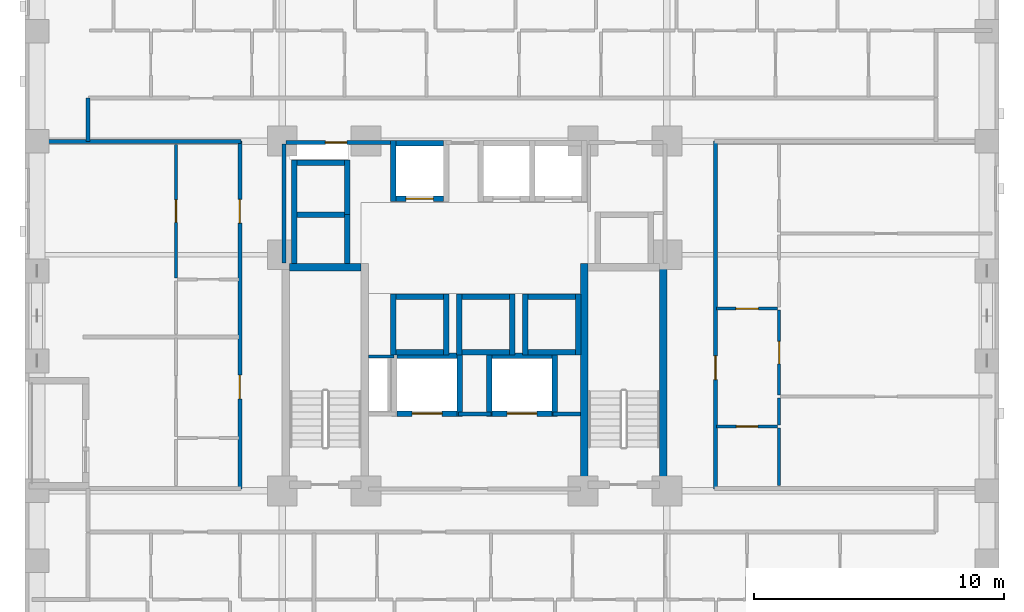
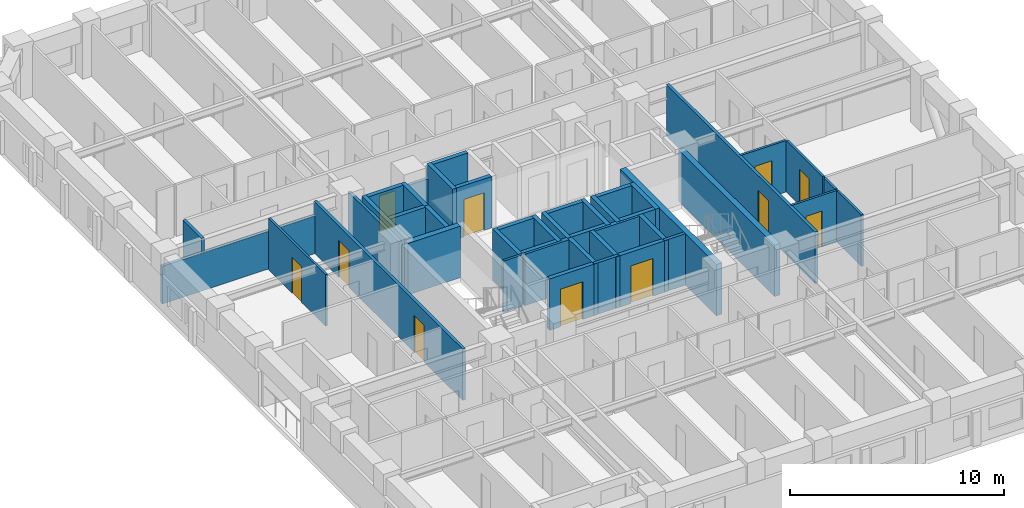
# One storey, part 5 of 14: 45 walls, 11 doors, 11 openings.
"""IFC4 building model written with IfcOpenShell, lengths in metres."""

from ifc_helpers import new_model, si_unit, derived_unit, direction, frame, frame_2d, origin, place, context, subcontext, project, spatial, rectangle, extrude, material, layer, layer_set, type_object, element, fill, save


model = new_model("IFC4")

# Units and contexts
model_context = context("Model", 3, precision=1e-05, world=origin(), true_north=direction((0.0, 1.0)))
body_context = subcontext(model_context, "Body", "Model", "MODEL_VIEW")
ifc_project = project(units=[si_unit("LENGTHUNIT", "METRE"), si_unit("AREAUNIT", "SQUARE_METRE"), si_unit("VOLUMEUNIT", "CUBIC_METRE"), si_unit("PLANEANGLEUNIT", "RADIAN"), si_unit("MASSUNIT", "GRAM", prefix="KILO"), derived_unit("THERMALTRANSMITTANCEUNIT", [(si_unit("MASSUNIT", "GRAM", prefix="KILO"), 1), (si_unit("TIMEUNIT", "SECOND"), -3), (si_unit("THERMODYNAMICTEMPERATUREUNIT", "KELVIN"), -1)])], contexts=[model_context])

# Site, building, storey
site_placement = place(None, origin())
site = spatial("IfcSite", under=ifc_project, at=site_placement, CompositionType="ELEMENT")
building_placement = place(site_placement, origin())
building = spatial("IfcBuilding", under=site, at=building_placement, Name="Korrvale Station Residences", CompositionType="ELEMENT")
storey_placement = place(building_placement, frame((0.0, 0.0, 45.0)))
storey = spatial("IfcBuildingStorey", under=building, at=storey_placement, Name="L11", CompositionType="ELEMENT", Elevation=45.0)

# Walls
ifc_material_1 = material(Name="Concrete C70/85", Category="concrete")
ifc_layer_1 = layer(ifc_material_1, 0.300048828125, Name="Concrete C70/85")
ifc_layer_set_1 = layer_set([ifc_layer_1], Name="Concrete C70/85")
wall_type_1 = type_object("IfcWallType", Name="WAL-CORE-300-C70", PredefinedType="SHEAR", material=ifc_layer_set_1)
wall_1_placement = place(storey_placement, frame((18.10009765625, 23.949951171875, 0.0), z_axis=(0.0, 0.0, 1.0), x_axis=(1.0, 0.0, 0.0)))
element("IfcWall", 1, at=wall_1_placement, inside=storey, type_object=wall_type_1, Name="L11 ST-1 Core Shear Wall North", PredefinedType="SHEAR", context=body_context, shape_type="SweptSolid", body=[
    extrude(rectangle(XDim=2.849853515625, YDim=0.300048828125, at=frame_2d((1.4248046875, 0.0))), origin(), (0.0, 0.0, 1.0), 2.93994140625),
])
for number, where, z_axis, x_axis, name in (
    (2, (29.89990234375, 15.10009765625, 0.0), (0.0, 0.0, 1.0), (0.0, 1.0, 0.0), "L11 ST-2 Core Shear Wall West"),
    (3, (33.050048828125, 15.10009765625, 0.0), (0.0, 0.0, 1.0), (0.0, 1.0, 0.0), "L11 ST-2 Core Shear Wall East"),
):
    element("IfcWall", number, at=place(storey_placement, frame(where, z_axis=z_axis, x_axis=x_axis)), inside=storey, type_object=wall_type_1, Name=name, PredefinedType="SHEAR", context=body_context, shape_type="SweptSolid", body=[
        extrude(rectangle(XDim=9.0, YDim=0.300048828125, at=frame_2d((4.5, 0.0))), origin(), (0.0, 0.0, 1.0), 2.93994140625),
    ])
ifc_material_2 = material(Name="Acoustic steel-stud gypsum board partition", Category="steel")
ifc_layer_2 = layer(ifc_material_2, 0.1201171875, Name="Acoustic steel-stud gypsum board partition")
ifc_layer_set_2 = layer_set([ifc_layer_2], Name="Acoustic steel-stud gypsum board partition")
wall_type_2 = type_object("IfcWallType", Name="WAL-PART-125", PredefinedType="PARTITIONING", material=ifc_layer_set_2)
wall_2_placement = place(storey_placement, frame((22.280029296875, 20.3798828125, 0.0), z_axis=(0.0, 0.0, 1.0), x_axis=(-1.0, 0.0, 0.0)))
element("IfcWall", 4, at=wall_2_placement, inside=storey, type_object=wall_type_2, Name="L11 Core Partition CW-RSWT-N", PredefinedType="PARTITIONING", context=body_context, shape_type="SweptSolid", body=[
    extrude(rectangle(XDim=1.02001953125, YDim=0.1201171875, at=frame_2d((0.510009765625, 0.0))), origin(), (0.0, 0.0, 1.0), 2.93994140625),
])

# Wall, opening, door
wall_3_placement = place(storey_placement, frame((13.550048828125, 23.527099609375, 0.0), z_axis=(0.0, 0.0, 1.0), x_axis=(0.0, 1.0, 0.0)))
wall_3 = element("IfcWall", 5, at=wall_3_placement, inside=storey, type_object=wall_type_2, Name="L11 Suite Partition U05-V12", PredefinedType="PARTITIONING", context=body_context, shape_type="SweptSolid", body=[
    extrude(rectangle(XDim=5.3330078125, YDim=0.1201171875, at=frame_2d((2.66650390625, 0.0))), origin(), (0.0, 0.0, 1.0), 2.93994140625),
])
opening_1_placement = place(wall_3_placement, frame((2.216064453125, 0.0, 0.0)))
opening_1 = element("IfcOpeningElement", 6, at=opening_1_placement, cuts=wall_3, Name="Opening DI-900", PredefinedType="OPENING", context=body_context, shape_type="SweptSolid", body=[
    extrude(rectangle(XDim=0.89990234375, YDim=2.050048828125, at=frame_2d((0.449951171875, 1.02490234375))), frame((0.0, 0.070068359375, 0.0), z_axis=(0.0, -1.0, 0.0), x_axis=(1.0, 0.0, 0.0)), (0.0, 0.0, 1.0), 0.14013671875),
])
ifc_material_3 = material(Name="Painted solid-core timber interior room door", Category="wood")
door_type_1 = type_object("IfcDoorType", Name="DR-INT-900", OperationType="NOTDEFINED", PredefinedType="DOOR", material=ifc_material_3)
door_1_placement = place(opening_1_placement, origin())
door_1 = element("IfcDoor", 7, at=door_1_placement, inside=storey, type_object=door_type_1, Name="L11 Studio Apartment L11-U05 Kitchen Door", OperationType="SINGLE_SWING_RIGHT", OverallHeight=2.050048828125, OverallWidth=0.89990234375, PredefinedType="DOOR", context=body_context, shape_type="SweptSolid", body=[
    extrude(rectangle(XDim=0.89990234375, YDim=2.050048828125, at=frame_2d((0.449951171875, 1.02490234375))), frame((0.0, 0.02490234375, 0.0), z_axis=(0.0, -1.0, 0.0), x_axis=(1.0, 0.0, 0.0)), (0.0, 0.0, 1.0), 0.050048828125),
])
fill(opening_1, door_1)

wall_4_placement = place(storey_placement, frame((35.18994140625, 22.2900390625, 0.0), z_axis=(0.0, 0.0, 1.0), x_axis=(1.0, 0.0, 0.0)))
wall_4 = element("IfcWall", 8, at=wall_4_placement, inside=storey, type_object=wall_type_2, Name="L11 Suite Partition U06-H02", PredefinedType="PARTITIONING", context=body_context, shape_type="SweptSolid", body=[
    extrude(rectangle(XDim=2.449951171875, YDim=0.1201171875, at=frame_2d((1.22509765625, 0.0))), origin(), (0.0, 0.0, 1.0), 2.93994140625),
])
opening_2_placement = place(wall_4_placement, frame((0.77490234375, 0.0, 0.0)))
opening_2 = element("IfcOpeningElement", 9, at=opening_2_placement, cuts=wall_4, Name="Opening DI-900", PredefinedType="OPENING", context=body_context, shape_type="SweptSolid", body=[
    extrude(rectangle(XDim=0.89990234375, YDim=2.050048828125, at=frame_2d((0.449951171875, 1.02490234375))), frame((0.0, 0.070068359375, 0.0), z_axis=(0.0, -1.0, 0.0), x_axis=(1.0, 0.0, 0.0)), (0.0, 0.0, 1.0), 0.14013671875),
])
door_2_placement = place(opening_2_placement, origin())
door_2 = element("IfcDoor", 10, at=door_2_placement, inside=storey, type_object=door_type_1, Name="L11 Apartment 2BR L11-U06 Wardrobe Storage Room Door", OperationType="SINGLE_SWING_LEFT", OverallHeight=2.050048828125, OverallWidth=0.89990234375, PredefinedType="DOOR", context=body_context, shape_type="SweptSolid", body=[
    extrude(rectangle(XDim=0.89990234375, YDim=2.050048828125, at=frame_2d((0.449951171875, 1.02490234375))), frame((0.0, 0.02490234375, 0.0), z_axis=(0.0, -1.0, 0.0), x_axis=(1.0, 0.0, 0.0)), (0.0, 0.0, 1.0), 0.050048828125),
])
fill(opening_2, door_2)

wall_5_placement = place(storey_placement, frame((35.18994140625, 17.570068359375, 0.0), z_axis=(0.0, 0.0, 1.0), x_axis=(1.0, 0.0, 0.0)))
wall_5 = element("IfcWall", 11, at=wall_5_placement, inside=storey, type_object=wall_type_2, Name="L11 Suite Partition U06-H12", PredefinedType="PARTITIONING", context=body_context, shape_type="SweptSolid", body=[
    extrude(rectangle(XDim=2.449951171875, YDim=0.1201171875, at=frame_2d((1.22509765625, 0.0))), origin(), (0.0, 0.0, 1.0), 2.93994140625),
])
opening_3_placement = place(wall_5_placement, frame((0.794921875, 0.0, 0.0)))
opening_3 = element("IfcOpeningElement", 12, at=opening_3_placement, cuts=wall_5, Name="Opening DB-860", PredefinedType="OPENING", context=body_context, shape_type="SweptSolid", body=[
    extrude(rectangle(XDim=0.860107421875, YDim=2.050048828125, at=frame_2d((0.43017578125, 1.02490234375))), frame((0.0, 0.070068359375, 0.0), z_axis=(0.0, -1.0, 0.0), x_axis=(1.0, 0.0, 0.0)), (0.0, 0.0, 1.0), 0.14013671875),
])
ifc_material_4 = material(Name="Moisture-resistant solid-core bathroom door", Category="timber")
door_type_2 = type_object("IfcDoorType", Name="DR-BATH-860", OperationType="NOTDEFINED", PredefinedType="DOOR", material=ifc_material_4)
door_3_placement = place(opening_3_placement, origin())
door_3 = element("IfcDoor", 13, at=door_3_placement, inside=storey, type_object=door_type_2, Name="L11 Apartment 2BR L11-U06 Bathroom Door", OperationType="SINGLE_SWING_RIGHT", OverallHeight=2.050048828125, OverallWidth=0.860107421875, PredefinedType="DOOR", context=body_context, shape_type="SweptSolid", body=[
    extrude(rectangle(XDim=0.860107421875, YDim=2.050048828125, at=frame_2d((0.43017578125, 1.02490234375))), frame((0.0, 0.02490234375, 0.0), z_axis=(0.0, -1.0, 0.0), x_axis=(1.0, 0.0, 0.0)), (0.0, 0.0, 1.0), 0.050048828125),
])
fill(opening_3, door_3)

# Walls
wall_6_placement = place(storey_placement, frame((37.699951171875, 15.2099609375, 0.0), z_axis=(0.0, 0.0, 1.0), x_axis=(0.0, 1.0, 0.0)))
element("IfcWall", 14, at=wall_6_placement, inside=storey, type_object=wall_type_2, Name="L11 Suite Partition U06-V13", PredefinedType="PARTITIONING", context=body_context, shape_type="SweptSolid", body=[
    extrude(rectangle(XDim=2.300048828125, YDim=0.1201171875, at=frame_2d((1.14990234375, 0.0))), origin(), (0.0, 0.0, 1.0), 2.93994140625),
])
wall_7_placement = place(storey_placement, frame((37.699951171875, 17.6298828125, 0.0), z_axis=(0.0, 0.0, 1.0), x_axis=(0.0, 1.0, 0.0)))
element("IfcWall", 15, at=wall_7_placement, inside=storey, type_object=wall_type_2, Name="L11 Suite Partition U06-V23", PredefinedType="PARTITIONING", context=body_context, shape_type="SweptSolid", body=[
    extrude(rectangle(XDim=1.0791015625, YDim=0.1201171875, at=frame_2d((0.53955078125, 0.0))), origin(), (0.0, 0.0, 1.0), 2.93994140625),
])

# Wall, opening, door
wall_8_placement = place(storey_placement, frame((37.699951171875, 18.8291015625, 0.0), z_axis=(0.0, 0.0, 1.0), x_axis=(0.0, 1.0, 0.0)))
wall_8 = element("IfcWall", 16, at=wall_8_placement, inside=storey, type_object=wall_type_2, Name="L11 Suite Partition U06-V24", PredefinedType="PARTITIONING", context=body_context, shape_type="SweptSolid", body=[
    extrude(rectangle(XDim=3.40087890625, YDim=0.1201171875, at=frame_2d((1.700439453125, 0.0))), origin(), (0.0, 0.0, 1.0), 2.93994140625),
])
opening_4_placement = place(wall_8_placement, frame((1.25, 0.0, 0.0)))
opening_4 = element("IfcOpeningElement", 17, at=opening_4_placement, cuts=wall_8, Name="Opening DI-900", PredefinedType="OPENING", context=body_context, shape_type="SweptSolid", body=[
    extrude(rectangle(XDim=0.89990234375, YDim=2.050048828125, at=frame_2d((0.449951171875, 1.02490234375))), frame((0.0, 0.070068359375, 0.0), z_axis=(0.0, -1.0, 0.0), x_axis=(1.0, 0.0, 0.0)), (0.0, 0.0, 1.0), 0.14013671875),
])
door_4_placement = place(opening_4_placement, origin())
door_4 = element("IfcDoor", 18, at=door_4_placement, inside=storey, type_object=door_type_1, Name="L11 Apartment 2BR L11-U06 Kitchen Door", OperationType="SINGLE_SWING_LEFT", OverallHeight=2.050048828125, OverallWidth=0.89990234375, PredefinedType="DOOR", context=body_context, shape_type="SweptSolid", body=[
    extrude(rectangle(XDim=0.89990234375, YDim=2.050048828125, at=frame_2d((0.449951171875, 1.02490234375))), frame((0.0, 0.02490234375, 0.0), z_axis=(0.0, -1.0, 0.0), x_axis=(1.0, 0.0, 0.0)), (0.0, 0.0, 1.0), 0.050048828125),
])
fill(opening_4, door_4)

# Walls
ifc_material_5 = material(Name="Fire-rated twin-stud gypsum and mineral wool shaftwall assembly", Category="gypsum")
ifc_layer_3 = layer(ifc_material_5, 0.159912109375, Name="Fire-rated twin-stud gypsum and mineral wool shaftwall assembly")
ifc_layer_set_3 = layer_set([ifc_layer_3], Name="Fire-rated twin-stud gypsum and mineral wool shaftwall assembly")
wall_type_3 = type_object("IfcWallType", Name="WAL-PART-200", PredefinedType="PARTITIONING", material=ifc_layer_set_3)
wall_9_placement = place(storey_placement, frame((24.85009765625, 18.080078125, 0.0), z_axis=(0.0, 0.0, 1.0), x_axis=(1.0, 0.0, 0.0)))
element("IfcWall", 19, at=wall_9_placement, inside=storey, type_object=wall_type_3, Name="L11 Core Partition CW-FFL-N2", PredefinedType="PARTITIONING", context=body_context, shape_type="SweptSolid", body=[
    extrude(rectangle(XDim=1.2998046875, YDim=0.159912109375, at=frame_2d((0.64990234375, 0.0))), origin(), (0.0, 0.0, 1.0), 2.93994140625),
])
wall_10_placement = place(storey_placement, frame((28.64990234375, 18.080078125, 0.0), z_axis=(0.0, 0.0, 1.0), x_axis=(1.0, 0.0, 0.0)))
element("IfcWall", 20, at=wall_10_placement, inside=storey, type_object=wall_type_3, Name="L11 Core Partition CW-FFL-N3", PredefinedType="PARTITIONING", context=body_context, shape_type="SweptSolid", body=[
    extrude(rectangle(XDim=1.10009765625, YDim=0.159912109375, at=frame_2d((0.550048828125, 0.0))), origin(), (0.0, 0.0, 1.0), 2.93994140625),
])
wall_11_placement = place(storey_placement, frame((17.8798828125, 24.1201171875, 0.0), z_axis=(0.0, 0.0, 1.0), x_axis=(0.0, 1.0, 0.0)))
element("IfcWall", 21, at=wall_11_placement, inside=storey, type_object=wall_type_3, Name="L11 Core Partition CW-W-N", PredefinedType="PARTITIONING", context=body_context, shape_type="SweptSolid", body=[
    extrude(rectangle(XDim=4.759765625, YDim=0.159912109375, at=frame_2d((2.3798828125, 0.0))), origin(), (0.0, 0.0, 1.0), 2.93994140625),
])

# Wall, opening, door
wall_12_placement = place(storey_placement, frame((17.9599609375, 28.949951171875, 0.0), z_axis=(0.0, 0.0, 1.0), x_axis=(1.0, 0.0, 0.0)))
wall_12 = element("IfcWall", 22, at=wall_12_placement, inside=storey, type_object=wall_type_3, Name="L11 Core Partition CW-NW", PredefinedType="PARTITIONING", context=body_context, shape_type="SweptSolid", body=[
    extrude(rectangle(XDim=4.2900390625, YDim=0.159912109375, at=frame_2d((2.14501953125, 0.0))), origin(), (0.0, 0.0, 1.0), 2.155029296875),
])
opening_5_placement = place(wall_12_placement, frame((1.570068359375, 0.0, 0.0)))
opening_5 = element("IfcOpeningElement", 23, at=opening_5_placement, cuts=wall_12, Name="Opening DB-860", PredefinedType="OPENING", context=body_context, shape_type="SweptSolid", body=[
    extrude(rectangle(XDim=0.860107421875, YDim=2.050048828125, at=frame_2d((0.43017578125, 1.02490234375))), frame((0.0, 0.08984375, 0.0), z_axis=(0.0, -1.0, 0.0), x_axis=(1.0, 0.0, 0.0)), (0.0, 0.0, 1.0), 0.179931640625),
])
door_5_placement = place(opening_5_placement, origin())
door_5 = element("IfcDoor", 24, at=door_5_placement, inside=storey, type_object=door_type_2, Name="L11 Electrical Riser Access Door", OperationType="SINGLE_SWING_LEFT", OverallHeight=2.050048828125, OverallWidth=0.860107421875, PredefinedType="DOOR", context=body_context, shape_type="SweptSolid", body=[
    extrude(rectangle(XDim=0.860107421875, YDim=2.050048828125, at=frame_2d((0.43017578125, 1.02490234375))), frame((0.0, 0.02490234375, 0.0), z_axis=(0.0, -1.0, 0.0), x_axis=(1.0, 0.0, 0.0)), (0.0, 0.0, 1.0), 0.050048828125),
])
fill(opening_5, door_5)

# Walls
wall_13_placement = place(storey_placement, frame((10.02001953125, 28.97998046875, 0.0), z_axis=(0.0, 0.0, 1.0), x_axis=(0.0, 1.0, 0.0)))
element("IfcWall", 25, at=wall_13_placement, inside=storey, type_object=wall_type_3, Name="L11 Corridor North West Cap", PredefinedType="PARTITIONING", context=body_context, shape_type="SweptSolid", body=[
    extrude(rectangle(XDim=1.739990234375, YDim=0.159912109375, at=frame_2d((0.8701171875, 0.0))), origin(), (0.0, 0.0, 1.0), 2.93994140625),
])
wall_14_placement = place(storey_placement, frame((7.780029296875, 28.97998046875, 0.0), z_axis=(0.0, 0.0, 1.0), x_axis=(1.0, 0.0, 0.0)))
element("IfcWall", 26, at=wall_14_placement, inside=storey, type_object=wall_type_3, Name="L11 West Wing North Corridor Wall", PredefinedType="PARTITIONING", context=body_context, shape_type="SweptSolid", body=[
    extrude(rectangle(XDim=8.35986328125, YDim=0.159912109375, at=frame_2d((4.179931640625, 0.0))), origin(), (0.0, 0.0, 1.0), 2.155029296875),
])

# Wall, openings, doors
wall_15_placement = place(storey_placement, frame((16.10009765625, 15.070068359375, 0.0), z_axis=(0.0, 0.0, 1.0), x_axis=(0.0, 1.0, 0.0)))
wall_15 = element("IfcWall", 27, at=wall_15_placement, inside=storey, type_object=wall_type_3, Name="L11 Rated Corridor Wall W", PredefinedType="PARTITIONING", context=body_context, shape_type="SweptSolid", body=[
    extrude(rectangle(XDim=13.929931640625, YDim=0.159912109375, at=frame_2d((6.96484375, 0.0))), origin(), (0.0, 0.0, 1.0), 2.93994140625),
])
opening_6_placement = place(wall_15_placement, frame((3.60791015625, 0.0, 0.0)))
opening_6 = element("IfcOpeningElement", 28, at=opening_6_placement, cuts=wall_15, Name="Opening UD-950", PredefinedType="OPENING", context=body_context, shape_type="SweptSolid", body=[
    extrude(rectangle(XDim=0.949951171875, YDim=2.10009765625, at=frame_2d((0.47509765625, 1.050048828125))), frame((0.0, 0.08984375, 0.0), z_axis=(0.0, -1.0, 0.0), x_axis=(1.0, 0.0, 0.0)), (0.0, 0.0, 1.0), 0.179931640625),
])
opening_7_placement = place(wall_15_placement, frame((10.64892578125, 0.0, 0.0)))
opening_7 = element("IfcOpeningElement", 29, at=opening_7_placement, cuts=wall_15, Name="Opening UD-950", PredefinedType="OPENING", context=body_context, shape_type="SweptSolid", body=[
    extrude(rectangle(XDim=0.949951171875, YDim=2.10009765625, at=frame_2d((0.47509765625, 1.050048828125))), frame((0.0, 0.08984375, 0.0), z_axis=(0.0, -1.0, 0.0), x_axis=(1.0, 0.0, 0.0)), (0.0, 0.0, 1.0), 0.179931640625),
])
ifc_material_6 = material(Name="Solid-core acoustic oak apartment entrance door", Category="timber")
door_type_3 = type_object("IfcDoorType", Name="DR-UNIT-950", OperationType="NOTDEFINED", PredefinedType="DOOR", material=ifc_material_6)
door_6_placement = place(opening_6_placement, origin())
door_6 = element("IfcDoor", 30, at=door_6_placement, inside=storey, type_object=door_type_3, Name="L11 Apartment L11-U04 Entrance Door", OperationType="SINGLE_SWING_LEFT", OverallHeight=2.10009765625, OverallWidth=0.949951171875, PredefinedType="DOOR", context=body_context, shape_type="SweptSolid", body=[
    extrude(rectangle(XDim=0.949951171875, YDim=2.10009765625, at=frame_2d((0.47509765625, 1.050048828125))), frame((0.0, 0.02490234375, 0.0), z_axis=(0.0, -1.0, 0.0), x_axis=(1.0, 0.0, 0.0)), (0.0, 0.0, 1.0), 0.050048828125),
])
fill(opening_6, door_6)
door_7_placement = place(opening_7_placement, origin())
door_7 = element("IfcDoor", 31, at=door_7_placement, inside=storey, type_object=door_type_3, Name="L11 Apartment L11-U05 Entrance Door", OperationType="SINGLE_SWING_RIGHT", OverallHeight=2.10009765625, OverallWidth=0.949951171875, PredefinedType="DOOR", context=body_context, shape_type="SweptSolid", body=[
    extrude(rectangle(XDim=0.949951171875, YDim=2.10009765625, at=frame_2d((0.47509765625, 1.050048828125))), frame((0.0, 0.02490234375, 0.0), z_axis=(0.0, -1.0, 0.0), x_axis=(1.0, 0.0, 0.0)), (0.0, 0.0, 1.0), 0.050048828125),
])
fill(opening_7, door_7)

# Wall, opening, door
wall_16_placement = place(storey_placement, frame((35.14990234375, 15.070068359375, 0.0), z_axis=(0.0, 0.0, 1.0), x_axis=(0.0, 1.0, 0.0)))
wall_16 = element("IfcWall", 32, at=wall_16_placement, inside=storey, type_object=wall_type_3, Name="L11 Rated Corridor Wall E", PredefinedType="PARTITIONING", context=body_context, shape_type="SweptSolid", body=[
    extrude(rectangle(XDim=13.929931640625, YDim=0.159912109375, at=frame_2d((6.96484375, 0.0))), origin(), (0.0, 0.0, 1.0), 2.93994140625),
])
opening_8_placement = place(wall_16_placement, frame((4.385009765625, 0.0, 0.0)))
opening_8 = element("IfcOpeningElement", 33, at=opening_8_placement, cuts=wall_16, Name="Opening UD-950", PredefinedType="OPENING", context=body_context, shape_type="SweptSolid", body=[
    extrude(rectangle(XDim=0.949951171875, YDim=2.10009765625, at=frame_2d((0.47509765625, 1.050048828125))), frame((0.0, 0.08984375, 0.0), z_axis=(0.0, -1.0, 0.0), x_axis=(1.0, 0.0, 0.0)), (0.0, 0.0, 1.0), 0.179931640625),
])
door_8_placement = place(opening_8_placement, origin())
door_8 = element("IfcDoor", 34, at=door_8_placement, inside=storey, type_object=door_type_3, Name="L11 Apartment L11-U06 Entrance Door", OperationType="SINGLE_SWING_LEFT", OverallHeight=2.10009765625, OverallWidth=0.949951171875, PredefinedType="DOOR", context=body_context, shape_type="SweptSolid", body=[
    extrude(rectangle(XDim=0.949951171875, YDim=2.10009765625, at=frame_2d((0.47509765625, 1.050048828125))), frame((0.0, 0.02490234375, 0.0), z_axis=(0.0, -1.0, 0.0), x_axis=(1.0, 0.0, 0.0)), (0.0, 0.0, 1.0), 0.050048828125),
])
fill(opening_8, door_8)

ifc_layer_4 = layer(ifc_material_1, 0.219970703125, Name="Concrete C70/85")
ifc_layer_set_4 = layer_set([ifc_layer_4], Name="Concrete C70/85")
wall_type_4 = type_object("IfcWallType", Name="WAL-SHAFT-220-C70", PredefinedType="SHEAR", material=ifc_layer_set_4)
wall_17_placement = place(storey_placement, frame((22.35009765625, 26.68994140625, 0.0), z_axis=(0.0, 0.0, 1.0), x_axis=(1.0, 0.0, 0.0)))
wall_17 = element("IfcWall", 35, at=wall_17_placement, inside=storey, type_object=wall_type_4, Name="L11 Elevator PL-1 Hoistway Wall South", PredefinedType="SHEAR", context=body_context, shape_type="SweptSolid", body=[
    extrude(rectangle(XDim=1.89990234375, YDim=0.219970703125, at=frame_2d((0.949951171875, 0.0))), origin(), (0.0, 0.0, 1.0), 2.93994140625),
])
opening_9_placement = place(wall_17_placement, frame((0.39990234375, 0.0, 0.0)))
opening_9 = element("IfcOpeningElement", 36, at=opening_9_placement, cuts=wall_17, Name="Opening LD-1100", PredefinedType="OPENING", context=body_context, shape_type="SweptSolid", body=[
    extrude(rectangle(XDim=1.10009765625, YDim=2.14990234375, at=frame_2d((0.550048828125, 1.074951171875))), frame((0.0, 0.1201171875, 0.0), z_axis=(0.0, -1.0, 0.0), x_axis=(1.0, 0.0, 0.0)), (0.0, 0.0, 1.0), 0.239990234375),
])
ifc_material_7 = material(Name="Brushed stainless-steel elevator landing sliding door", Category="steel")
door_type_4 = type_object("IfcDoorType", Name="DR-LIFT-1100", OperationType="SLIDING_TO_LEFT", PredefinedType="DOOR", material=ifc_material_7)
door_9_placement = place(opening_9_placement, origin())
door_9 = element("IfcDoor", 37, at=door_9_placement, inside=storey, type_object=door_type_4, Name="L11 Elevator PL-1 Sliding Landing Door", OperationType="SLIDING_TO_LEFT", OverallHeight=2.14990234375, OverallWidth=1.10009765625, PredefinedType="DOOR", context=body_context, shape_type="SweptSolid", body=[
    extrude(rectangle(XDim=1.10009765625, YDim=2.14990234375, at=frame_2d((0.550048828125, 1.074951171875))), frame((0.0, 0.02490234375, 0.0), z_axis=(0.0, -1.0, 0.0), x_axis=(1.0, 0.0, 0.0)), (0.0, 0.0, 1.0), 0.050048828125),
])
fill(opening_9, door_9)

# Walls
wall_18_placement = place(storey_placement, frame((22.35009765625, 28.909912109375, 0.0), z_axis=(0.0, 0.0, 1.0), x_axis=(1.0, 0.0, 0.0)))
element("IfcWall", 38, at=wall_18_placement, inside=storey, type_object=wall_type_4, Name="L11 Elevator PL-1 Hoistway Wall North", PredefinedType="SHEAR", context=body_context, shape_type="SweptSolid", body=[
    extrude(rectangle(XDim=1.89990234375, YDim=0.219970703125, at=frame_2d((0.949951171875, 0.0))), origin(), (0.0, 0.0, 1.0), 2.93994140625),
])
wall_19_placement = place(storey_placement, frame((22.239990234375, 26.580078125, 0.0), z_axis=(0.0, 0.0, 1.0), x_axis=(0.0, 1.0, 0.0)))
element("IfcWall", 39, at=wall_19_placement, inside=storey, type_object=wall_type_4, Name="L11 Elevator PL-1 Hoistway Wall West", PredefinedType="SHEAR", context=body_context, shape_type="SweptSolid", body=[
    extrude(rectangle(XDim=2.43994140625, YDim=0.219970703125, at=frame_2d((1.219970703125, 0.0))), origin(), (0.0, 0.0, 1.0), 2.93994140625),
])
for number, where, z_axis, x_axis, name in (
    (40, (22.35009765625, 20.5400390625, 0.0), (0.0, 0.0, 1.0), (1.0, 0.0, 0.0), "L11 Elevator PM-1 Hoistway Wall South"),
    (41, (22.35009765625, 22.760009765625, 0.0), (0.0, 0.0, 1.0), (1.0, 0.0, 0.0), "L11 Elevator PM-1 Hoistway Wall North"),
):
    element("IfcWall", number, at=place(storey_placement, frame(where, z_axis=z_axis, x_axis=x_axis)), inside=storey, type_object=wall_type_4, Name=name, PredefinedType="SHEAR", context=body_context, shape_type="SweptSolid", body=[
        extrude(rectangle(XDim=1.89990234375, YDim=0.219970703125, at=frame_2d((0.949951171875, 0.0))), origin(), (0.0, 0.0, 1.0), 2.93994140625),
    ])
for number, where, z_axis, x_axis, name in (
    (42, (22.239990234375, 20.429931640625, 0.0), (0.0, 0.0, 1.0), (0.0, 1.0, 0.0), "L11 Elevator PM-1 Hoistway Wall West"),
    (43, (24.360107421875, 20.429931640625, 0.0), (0.0, 0.0, 1.0), (0.0, 1.0, 0.0), "L11 Elevator PM-1 Hoistway Wall East"),
):
    element("IfcWall", number, at=place(storey_placement, frame(where, z_axis=z_axis, x_axis=x_axis)), inside=storey, type_object=wall_type_4, Name=name, PredefinedType="SHEAR", context=body_context, shape_type="SweptSolid", body=[
        extrude(rectangle(XDim=2.440185546875, YDim=0.219970703125, at=frame_2d((1.22021484375, 0.0))), origin(), (0.0, 0.0, 1.0), 2.93994140625),
    ])
for number, where, z_axis, x_axis, name in (
    (44, (25.0, 20.5400390625, 0.0), (0.0, 0.0, 1.0), (1.0, 0.0, 0.0), "L11 Elevator PM-2 Hoistway Wall South"),
    (45, (25.0, 22.760009765625, 0.0), (0.0, 0.0, 1.0), (1.0, 0.0, 0.0), "L11 Elevator PM-2 Hoistway Wall North"),
):
    element("IfcWall", number, at=place(storey_placement, frame(where, z_axis=z_axis, x_axis=x_axis)), inside=storey, type_object=wall_type_4, Name=name, PredefinedType="SHEAR", context=body_context, shape_type="SweptSolid", body=[
        extrude(rectangle(XDim=1.89990234375, YDim=0.219970703125, at=frame_2d((0.949951171875, 0.0))), origin(), (0.0, 0.0, 1.0), 2.93994140625),
    ])
for number, where, z_axis, x_axis, name in (
    (46, (24.889892578125, 20.429931640625, 0.0), (0.0, 0.0, 1.0), (0.0, 1.0, 0.0), "L11 Elevator PM-2 Hoistway Wall West"),
    (47, (27.010009765625, 20.429931640625, 0.0), (0.0, 0.0, 1.0), (0.0, 1.0, 0.0), "L11 Elevator PM-2 Hoistway Wall East"),
):
    element("IfcWall", number, at=place(storey_placement, frame(where, z_axis=z_axis, x_axis=x_axis)), inside=storey, type_object=wall_type_4, Name=name, PredefinedType="SHEAR", context=body_context, shape_type="SweptSolid", body=[
        extrude(rectangle(XDim=2.440185546875, YDim=0.219970703125, at=frame_2d((1.22021484375, 0.0))), origin(), (0.0, 0.0, 1.0), 2.93994140625),
    ])
for number, where, z_axis, x_axis, name in (
    (48, (27.64990234375, 20.5400390625, 0.0), (0.0, 0.0, 1.0), (1.0, 0.0, 0.0), "L11 Elevator PM-3 Hoistway Wall South"),
    (49, (27.64990234375, 22.760009765625, 0.0), (0.0, 0.0, 1.0), (1.0, 0.0, 0.0), "L11 Elevator PM-3 Hoistway Wall North"),
):
    element("IfcWall", number, at=place(storey_placement, frame(where, z_axis=z_axis, x_axis=x_axis)), inside=storey, type_object=wall_type_4, Name=name, PredefinedType="SHEAR", context=body_context, shape_type="SweptSolid", body=[
        extrude(rectangle(XDim=1.900146484375, YDim=0.219970703125, at=frame_2d((0.9501953125, 0.0))), origin(), (0.0, 0.0, 1.0), 2.93994140625),
    ])
for number, where, z_axis, x_axis, name in (
    (50, (27.5400390625, 20.429931640625, 0.0), (0.0, 0.0, 1.0), (0.0, 1.0, 0.0), "L11 Elevator PM-3 Hoistway Wall West"),
    (51, (29.659912109375, 20.429931640625, 0.0), (0.0, 0.0, 1.0), (0.0, 1.0, 0.0), "L11 Elevator PM-3 Hoistway Wall East"),
):
    element("IfcWall", number, at=place(storey_placement, frame(where, z_axis=z_axis, x_axis=x_axis)), inside=storey, type_object=wall_type_4, Name=name, PredefinedType="SHEAR", context=body_context, shape_type="SweptSolid", body=[
        extrude(rectangle(XDim=2.440185546875, YDim=0.219970703125, at=frame_2d((1.22021484375, 0.0))), origin(), (0.0, 0.0, 1.0), 2.93994140625),
    ])
wall_20_placement = place(storey_placement, frame((18.2900390625, 24.10009765625, 0.0), z_axis=(0.0, 0.0, 1.0), x_axis=(0.0, 1.0, 0.0)))
element("IfcWall", 52, at=wall_20_placement, inside=storey, type_object=wall_type_4, Name="L11 Elevator PH-1 Hoistway Wall West", PredefinedType="SHEAR", context=body_context, shape_type="SweptSolid", body=[
    extrude(rectangle(XDim=4.139892578125, YDim=0.219970703125, at=frame_2d((2.06982421875, 0.0))), origin(), (0.0, 0.0, 1.0), 2.93994140625),
])
wall_21_placement = place(storey_placement, frame((20.409912109375, 24.10009765625, 0.0), z_axis=(0.0, 0.0, 1.0), x_axis=(0.0, 1.0, 0.0)))
element("IfcWall", 53, at=wall_21_placement, inside=storey, type_object=wall_type_4, Name="L11 Elevator PH-1 Hoistway Wall East", PredefinedType="SHEAR", context=body_context, shape_type="SweptSolid", body=[
    extrude(rectangle(XDim=1.9599609375, YDim=0.219970703125, at=frame_2d((0.97998046875, 0.0))), origin(), (0.0, 0.0, 1.0), 2.93994140625),
])
for number, where, z_axis, x_axis, name in (
    (54, (18.39990234375, 26.06005859375, 0.0), (0.0, 0.0, 1.0), (1.0, 0.0, 0.0), "L11 Elevator PH-2 Hoistway Wall South"),
    (55, (18.39990234375, 28.1298828125, 0.0), (0.0, 0.0, 1.0), (1.0, 0.0, 0.0), "L11 Elevator PH-2 Hoistway Wall North"),
):
    element("IfcWall", number, at=place(storey_placement, frame(where, z_axis=z_axis, x_axis=x_axis)), inside=storey, type_object=wall_type_4, Name=name, PredefinedType="SHEAR", context=body_context, shape_type="SweptSolid", body=[
        extrude(rectangle(XDim=1.900146484375, YDim=0.219970703125, at=frame_2d((0.9501953125, 0.0))), origin(), (0.0, 0.0, 1.0), 2.93994140625),
    ])
wall_22_placement = place(storey_placement, frame((20.409912109375, 26.06005859375, 0.0), z_axis=(0.0, 0.0, 1.0), x_axis=(0.0, 1.0, 0.0)))
element("IfcWall", 56, at=wall_22_placement, inside=storey, type_object=wall_type_4, Name="L11 Elevator PH-2 Hoistway Wall East", PredefinedType="SHEAR", context=body_context, shape_type="SweptSolid", body=[
    extrude(rectangle(XDim=2.179931640625, YDim=0.219970703125, at=frame_2d((1.08984375, 0.0))), origin(), (0.0, 0.0, 1.0), 2.93994140625),
])

# Wall, opening, door
wall_23_placement = place(storey_placement, frame((22.39990234375, 18.090087890625, 0.0), z_axis=(0.0, 0.0, 1.0), x_axis=(1.0, 0.0, 0.0)))
wall_23 = element("IfcWall", 57, at=wall_23_placement, inside=storey, type_object=wall_type_4, Name="L11 Elevator FFL-1 Hoistway Wall South", PredefinedType="SHEAR", context=body_context, shape_type="SweptSolid", body=[
    extrude(rectangle(XDim=2.400146484375, YDim=0.219970703125, at=frame_2d((1.2001953125, 0.0))), origin(), (0.0, 0.0, 1.0), 2.93994140625),
])
opening_10_placement = place(wall_23_placement, frame((0.60009765625, 0.0, 0.0)))
opening_10 = element("IfcOpeningElement", 58, at=opening_10_placement, cuts=wall_23, Name="Opening LD-FF1200", PredefinedType="OPENING", context=body_context, shape_type="SweptSolid", body=[
    extrude(rectangle(XDim=1.199951171875, YDim=2.14990234375, at=frame_2d((0.60009765625, 1.074951171875))), frame((0.0, 0.1201171875, 0.0), z_axis=(0.0, -1.0, 0.0), x_axis=(1.0, 0.0, 0.0)), (0.0, 0.0, 1.0), 0.239990234375),
])
ifc_material_8 = material(Name="Stainless-steel firefighter elevator landing sliding door", Category="steel")
door_type_5 = type_object("IfcDoorType", Name="DR-LIFT-FF1200", OperationType="SLIDING_TO_LEFT", PredefinedType="DOOR", material=ifc_material_8)
door_10_placement = place(opening_10_placement, origin())
door_10 = element("IfcDoor", 59, at=door_10_placement, inside=storey, type_object=door_type_5, Name="L11 Elevator FFL-1 Sliding Landing Door", OperationType="SLIDING_TO_LEFT", OverallHeight=2.14990234375, OverallWidth=1.199951171875, PredefinedType="DOOR", context=body_context, shape_type="SweptSolid", body=[
    extrude(rectangle(XDim=1.199951171875, YDim=2.14990234375, at=frame_2d((0.60009765625, 1.074951171875))), frame((0.0, 0.02490234375, 0.0), z_axis=(0.0, -1.0, 0.0), x_axis=(1.0, 0.0, 0.0)), (0.0, 0.0, 1.0), 0.050048828125),
])
fill(opening_10, door_10)

# Walls
wall_24_placement = place(storey_placement, frame((22.39990234375, 20.409912109375, 0.0), z_axis=(0.0, 0.0, 1.0), x_axis=(1.0, 0.0, 0.0)))
element("IfcWall", 60, at=wall_24_placement, inside=storey, type_object=wall_type_4, Name="L11 Elevator FFL-1 Hoistway Wall North", PredefinedType="SHEAR", context=body_context, shape_type="SweptSolid", body=[
    extrude(rectangle(XDim=2.400146484375, YDim=0.219970703125, at=frame_2d((1.2001953125, 0.0))), origin(), (0.0, 0.0, 1.0), 2.93994140625),
])
wall_25_placement = place(storey_placement, frame((24.909912109375, 17.97998046875, 0.0), z_axis=(0.0, 0.0, 1.0), x_axis=(0.0, 1.0, 0.0)))
element("IfcWall", 61, at=wall_25_placement, inside=storey, type_object=wall_type_4, Name="L11 Elevator FFL-1 Hoistway Wall East", PredefinedType="SHEAR", context=body_context, shape_type="SweptSolid", body=[
    extrude(rectangle(XDim=2.5400390625, YDim=0.219970703125, at=frame_2d((1.27001953125, 0.0))), origin(), (0.0, 0.0, 1.0), 2.93994140625),
])

# Wall, opening, door
wall_26_placement = place(storey_placement, frame((26.199951171875, 18.090087890625, 0.0), z_axis=(0.0, 0.0, 1.0), x_axis=(1.0, 0.0, 0.0)))
wall_26 = element("IfcWall", 62, at=wall_26_placement, inside=storey, type_object=wall_type_4, Name="L11 Elevator FFL-2 Hoistway Wall South", PredefinedType="SHEAR", context=body_context, shape_type="SweptSolid", body=[
    extrude(rectangle(XDim=2.400146484375, YDim=0.219970703125, at=frame_2d((1.2001953125, 0.0))), origin(), (0.0, 0.0, 1.0), 2.93994140625),
])
opening_11_placement = place(wall_26_placement, frame((0.60009765625, 0.0, 0.0)))
opening_11 = element("IfcOpeningElement", 63, at=opening_11_placement, cuts=wall_26, Name="Opening LD-FF1200", PredefinedType="OPENING", context=body_context, shape_type="SweptSolid", body=[
    extrude(rectangle(XDim=1.199951171875, YDim=2.14990234375, at=frame_2d((0.60009765625, 1.074951171875))), frame((0.0, 0.1201171875, 0.0), z_axis=(0.0, -1.0, 0.0), x_axis=(1.0, 0.0, 0.0)), (0.0, 0.0, 1.0), 0.239990234375),
])
door_11_placement = place(opening_11_placement, origin())
door_11 = element("IfcDoor", 64, at=door_11_placement, inside=storey, type_object=door_type_5, Name="L11 Elevator FFL-2 Sliding Landing Door", OperationType="SLIDING_TO_LEFT", OverallHeight=2.14990234375, OverallWidth=1.199951171875, PredefinedType="DOOR", context=body_context, shape_type="SweptSolid", body=[
    extrude(rectangle(XDim=1.199951171875, YDim=2.14990234375, at=frame_2d((0.60009765625, 1.074951171875))), frame((0.0, 0.02490234375, 0.0), z_axis=(0.0, -1.0, 0.0), x_axis=(1.0, 0.0, 0.0)), (0.0, 0.0, 1.0), 0.050048828125),
])
fill(opening_11, door_11)

# Walls
wall_27_placement = place(storey_placement, frame((26.199951171875, 20.409912109375, 0.0), z_axis=(0.0, 0.0, 1.0), x_axis=(1.0, 0.0, 0.0)))
element("IfcWall", 65, at=wall_27_placement, inside=storey, type_object=wall_type_4, Name="L11 Elevator FFL-2 Hoistway Wall North", PredefinedType="SHEAR", context=body_context, shape_type="SweptSolid", body=[
    extrude(rectangle(XDim=2.400146484375, YDim=0.219970703125, at=frame_2d((1.2001953125, 0.0))), origin(), (0.0, 0.0, 1.0), 2.93994140625),
])
for number, where, z_axis, x_axis, name in (
    (66, (26.090087890625, 17.97998046875, 0.0), (0.0, 0.0, 1.0), (0.0, 1.0, 0.0), "L11 Elevator FFL-2 Hoistway Wall West"),
    (67, (28.7099609375, 17.97998046875, 0.0), (0.0, 0.0, 1.0), (0.0, 1.0, 0.0), "L11 Elevator FFL-2 Hoistway Wall East"),
):
    element("IfcWall", number, at=place(storey_placement, frame(where, z_axis=z_axis, x_axis=x_axis)), inside=storey, type_object=wall_type_4, Name=name, PredefinedType="SHEAR", context=body_context, shape_type="SweptSolid", body=[
        extrude(rectangle(XDim=2.5400390625, YDim=0.219970703125, at=frame_2d((1.27001953125, 0.0))), origin(), (0.0, 0.0, 1.0), 2.93994140625),
    ])

save(model, "model.ifc")
